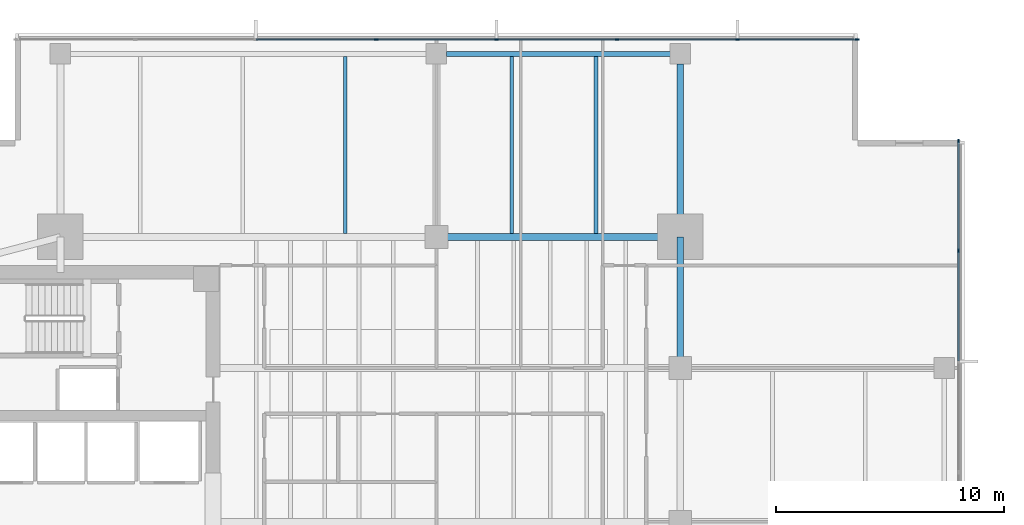
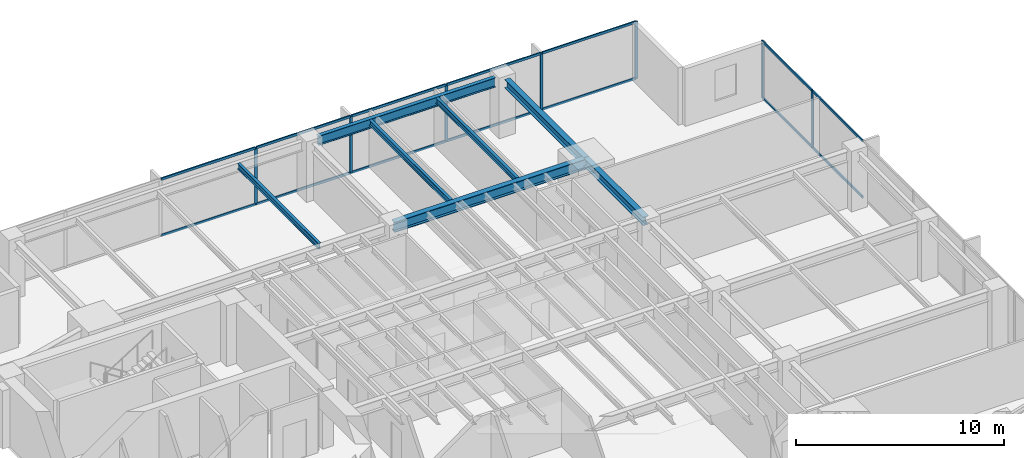
# One storey, part 6 of 14: 21 members, 7 beams, 2 elements without a shape of their own.
"""IFC4 building model written with IfcOpenShell, lengths in metres."""

from ifc_helpers import new_model, si_unit, direction, frame, origin, origin_2d, place, context, subcontext, project, spatial, rectangle, i_section, extrude, material, layer, layer_set, material_profile, profile_set, type_object, element, aggregate, save


model = new_model("IFC4")

# Units and contexts
model_context = context("Model", 3, precision=1e-05, world=origin(), true_north=direction((0.0, 1.0)))
body_context = subcontext(model_context, "Body", "Model", "MODEL_VIEW")
ifc_project = project(units=[si_unit("LENGTHUNIT", "METRE"), si_unit("AREAUNIT", "SQUARE_METRE"), si_unit("VOLUMEUNIT", "CUBIC_METRE"), si_unit("PLANEANGLEUNIT", "RADIAN"), si_unit("MASSUNIT", "GRAM", prefix="KILO")], contexts=[model_context])

# Site, building, storey
site_placement = place(None, origin())
site = spatial("IfcSite", under=ifc_project, at=site_placement, CompositionType="ELEMENT")
building_placement = place(site_placement, origin())
building = spatial("IfcBuilding", under=site, at=building_placement, Name="Kinhvarn Gate Tower", CompositionType="ELEMENT")
storey_placement = place(building_placement, frame((0.0, 0.0, 148.39990234375)))
storey = spatial("IfcBuildingStorey", under=building, at=storey_placement, Name="L39", CompositionType="ELEMENT", Elevation=148.39990234375)

# Curtain wall, members
ifc_material_1 = material(Name="Anodised aluminium AW-6063", Category="aluminium")
ifc_layer = layer(ifc_material_1, 0.179931640625)
ifc_layer_set = layer_set([ifc_layer], Name="Anodised aluminium AW-6063")
curtain_wall_type = type_object("IfcCurtainWallType", Name="CW-SYS-3", PredefinedType="NOTDEFINED", material=ifc_layer_set)
curtain_wall_1_placement = place(storey_placement, origin())
curtain_wall_1 = element("IfcCurtainWall", 1, at=curtain_wall_1_placement, inside=storey, type_object=curtain_wall_type, Name="Curtain Wall CW3 (L39)", PredefinedType="NOTDEFINED")
ifc_material_profile_1 = material_profile(ifc_material_1, rectangle(XDim=0.06494140625, YDim=0.159912109375, at=origin_2d()), Name="ALU 65x160")
ifc_profile_set_1 = profile_set([ifc_material_profile_1], Name="Anodised aluminium AW-6063")
member_type_1 = type_object("IfcMemberType", Name="CW-MUL-160", PredefinedType="MULLION", material=ifc_profile_set_1)
member_1_placement = place(storey_placement, frame((45.967529296875, 46.409912109375, 0.0), z_axis=(0.0, 0.0, 1.0), x_axis=(0.0, -1.0, 0.0)))
member_1 = element("IfcMember", 2, at=member_1_placement, type_object=member_type_1, Name="CW3 mullion 1", PredefinedType="MULLION", context=body_context, shape_type="SweptSolid", body=[
    extrude(rectangle(XDim=0.06494140625, YDim=0.159912109375, at=origin_2d()), origin(), (0.0, 0.0, 1.0), 3.3701171875),
])
member_2_placement = place(storey_placement, frame((40.71435546875, 46.409912109375, 0.0), z_axis=(0.0, 0.0, 1.0), x_axis=(0.0, -1.0, 0.0)))
member_2 = element("IfcMember", 3, at=member_2_placement, type_object=member_type_1, Name="CW3 mullion 2", PredefinedType="MULLION", context=body_context, shape_type="SweptSolid", body=[
    extrude(rectangle(XDim=0.06494140625, YDim=0.159912109375, at=origin_2d()), origin(), (0.0, 0.0, 1.0), 3.3701171875),
])
member_3_placement = place(storey_placement, frame((35.428466796875, 46.409912109375, 0.0), z_axis=(0.0, 0.0, 1.0), x_axis=(0.0, -1.0, 0.0)))
member_3 = element("IfcMember", 4, at=member_3_placement, type_object=member_type_1, Name="CW3 mullion 3", PredefinedType="MULLION", context=body_context, shape_type="SweptSolid", body=[
    extrude(rectangle(XDim=0.06494140625, YDim=0.159912109375, at=origin_2d()), origin(), (0.0, 0.0, 1.0), 3.3701171875),
])
member_4_placement = place(storey_placement, frame((30.142822265625, 46.409912109375, 0.0), z_axis=(0.0, 0.0, 1.0), x_axis=(0.0, -1.0, 0.0)))
member_4 = element("IfcMember", 5, at=member_4_placement, type_object=member_type_1, Name="CW3 mullion 4", PredefinedType="MULLION", context=body_context, shape_type="SweptSolid", body=[
    extrude(rectangle(XDim=0.06494140625, YDim=0.159912109375, at=origin_2d()), origin(), (0.0, 0.0, 1.0), 3.3701171875),
])
member_5_placement = place(storey_placement, frame((24.857177734375, 46.409912109375, 0.0), z_axis=(0.0, 0.0, 1.0), x_axis=(0.0, -1.0, 0.0)))
member_5 = element("IfcMember", 6, at=member_5_placement, type_object=member_type_1, Name="CW3 mullion 5", PredefinedType="MULLION", context=body_context, shape_type="SweptSolid", body=[
    extrude(rectangle(XDim=0.06494140625, YDim=0.159912109375, at=origin_2d()), origin(), (0.0, 0.0, 1.0), 3.3701171875),
])

curtain_wall_2_placement = place(storey_placement, origin())
curtain_wall_2 = element("IfcCurtainWall", 7, at=curtain_wall_2_placement, inside=storey, type_object=curtain_wall_type, Name="Curtain Wall CW3 (L39)", PredefinedType="NOTDEFINED")
member_6_placement = place(storey_placement, frame((50.409912109375, 37.142822265625, 0.0), z_axis=(0.0, 0.0, 1.0), x_axis=(-1.0, 0.0, 0.0)))
member_6 = element("IfcMember", 8, at=member_6_placement, type_object=member_type_1, Name="CW3 mullion 7", PredefinedType="MULLION", context=body_context, shape_type="SweptSolid", body=[
    extrude(rectangle(XDim=0.06494140625, YDim=0.159912109375, at=origin_2d()), origin(), (0.0, 0.0, 1.0), 3.3701171875),
])
member_7_placement = place(storey_placement, frame((50.409912109375, 41.967529296875, 0.0), z_axis=(0.0, 0.0, 1.0), x_axis=(-1.0, 0.0, 0.0)))
member_7 = element("IfcMember", 9, at=member_7_placement, type_object=member_type_1, Name="CW3 mullion 8", PredefinedType="MULLION", context=body_context, shape_type="SweptSolid", body=[
    extrude(rectangle(XDim=0.06494140625, YDim=0.159912109375, at=origin_2d()), origin(), (0.0, 0.0, 1.0), 3.3701171875),
])

# Member
ifc_material_profile_2 = material_profile(ifc_material_1, rectangle(XDim=0.070068359375, YDim=0.139892578125, at=origin_2d()), Name="ALU 70x140")
ifc_profile_set_2 = profile_set([ifc_material_profile_2], Name="Anodised aluminium AW-6063")
member_type_2 = type_object("IfcMemberType", Name="CW-TRN-140", PredefinedType="USERDEFINED", material=ifc_profile_set_2)
member_8_placement = place(storey_placement, frame((45.93505859375, 46.409912109375, 0.03515625), z_axis=(-1.0, 0.0, 0.0), x_axis=(0.0, -1.0, 0.0)))
member_8 = element("IfcMember", 10, at=member_8_placement, type_object=member_type_2, Name="CW3 transom 1.1", ObjectType="TRANSOM", PredefinedType="USERDEFINED", context=body_context, shape_type="SweptSolid", body=[
    extrude(rectangle(XDim=0.070068359375, YDim=0.139892578125, at=origin_2d()), origin(), (0.0, 0.0, 1.0), 5.188232421875),
])

member_9_placement = place(storey_placement, frame((45.93505859375, 46.409912109375, 3.335205078125), z_axis=(-1.0, 0.0, 0.0), x_axis=(0.0, -1.0, 0.0)))
member_9 = element("IfcMember", 11, at=member_9_placement, type_object=member_type_2, Name="CW3 transom 1.2", ObjectType="TRANSOM", PredefinedType="USERDEFINED", context=body_context, shape_type="SweptSolid", body=[
    extrude(rectangle(XDim=0.070068359375, YDim=0.139892578125, at=origin_2d()), origin(), (0.0, 0.0, 1.0), 5.188232421875),
])

member_10_placement = place(storey_placement, frame((40.681884765625, 46.409912109375, 0.03515625), z_axis=(-1.0, 0.0, 0.0), x_axis=(0.0, -1.0, 0.0)))
member_10 = element("IfcMember", 12, at=member_10_placement, type_object=member_type_2, Name="CW3 transom 2.1", ObjectType="TRANSOM", PredefinedType="USERDEFINED", context=body_context, shape_type="SweptSolid", body=[
    extrude(rectangle(XDim=0.070068359375, YDim=0.139892578125, at=origin_2d()), origin(), (0.0, 0.0, 1.0), 5.220703125),
])

member_11_placement = place(storey_placement, frame((40.681884765625, 46.409912109375, 3.335205078125), z_axis=(-1.0, 0.0, 0.0), x_axis=(0.0, -1.0, 0.0)))
member_11 = element("IfcMember", 13, at=member_11_placement, type_object=member_type_2, Name="CW3 transom 2.2", ObjectType="TRANSOM", PredefinedType="USERDEFINED", context=body_context, shape_type="SweptSolid", body=[
    extrude(rectangle(XDim=0.070068359375, YDim=0.139892578125, at=origin_2d()), origin(), (0.0, 0.0, 1.0), 5.220703125),
])

member_12_placement = place(storey_placement, frame((35.39599609375, 46.409912109375, 0.03515625), z_axis=(-1.0, 0.0, 0.0), x_axis=(0.0, -1.0, 0.0)))
member_12 = element("IfcMember", 14, at=member_12_placement, type_object=member_type_2, Name="CW3 transom 3.1", ObjectType="TRANSOM", PredefinedType="USERDEFINED", context=body_context, shape_type="SweptSolid", body=[
    extrude(rectangle(XDim=0.070068359375, YDim=0.139892578125, at=origin_2d()), origin(), (0.0, 0.0, 1.0), 5.220703125),
])

member_13_placement = place(storey_placement, frame((35.39599609375, 46.409912109375, 3.335205078125), z_axis=(-1.0, 0.0, 0.0), x_axis=(0.0, -1.0, 0.0)))
member_13 = element("IfcMember", 15, at=member_13_placement, type_object=member_type_2, Name="CW3 transom 3.2", ObjectType="TRANSOM", PredefinedType="USERDEFINED", context=body_context, shape_type="SweptSolid", body=[
    extrude(rectangle(XDim=0.070068359375, YDim=0.139892578125, at=origin_2d()), origin(), (0.0, 0.0, 1.0), 5.220703125),
])

member_14_placement = place(storey_placement, frame((30.1103515625, 46.409912109375, 0.03515625), z_axis=(-1.0, 0.0, 0.0), x_axis=(0.0, -1.0, 0.0)))
member_14 = element("IfcMember", 16, at=member_14_placement, type_object=member_type_2, Name="CW3 transom 4.1", ObjectType="TRANSOM", PredefinedType="USERDEFINED", context=body_context, shape_type="SweptSolid", body=[
    extrude(rectangle(XDim=0.070068359375, YDim=0.139892578125, at=origin_2d()), origin(), (0.0, 0.0, 1.0), 5.220703125),
])

member_15_placement = place(storey_placement, frame((30.1103515625, 46.409912109375, 3.335205078125), z_axis=(-1.0, 0.0, 0.0), x_axis=(0.0, -1.0, 0.0)))
member_15 = element("IfcMember", 17, at=member_15_placement, type_object=member_type_2, Name="CW3 transom 4.2", ObjectType="TRANSOM", PredefinedType="USERDEFINED", context=body_context, shape_type="SweptSolid", body=[
    extrude(rectangle(XDim=0.070068359375, YDim=0.139892578125, at=origin_2d()), origin(), (0.0, 0.0, 1.0), 5.220703125),
])

member_16_placement = place(storey_placement, frame((24.82470703125, 46.409912109375, 0.03515625), z_axis=(-1.0, 0.0, 0.0), x_axis=(0.0, -1.0, 0.0)))
member_16 = element("IfcMember", 18, at=member_16_placement, type_object=member_type_2, Name="CW3 transom 5.1", ObjectType="TRANSOM", PredefinedType="USERDEFINED", context=body_context, shape_type="SweptSolid", body=[
    extrude(rectangle(XDim=0.070068359375, YDim=0.139892578125, at=origin_2d()), origin(), (0.0, 0.0, 1.0), 5.220703125),
])

member_17_placement = place(storey_placement, frame((24.82470703125, 46.409912109375, 3.335205078125), z_axis=(-1.0, 0.0, 0.0), x_axis=(0.0, -1.0, 0.0)))
member_17 = element("IfcMember", 19, at=member_17_placement, type_object=member_type_2, Name="CW3 transom 5.2", ObjectType="TRANSOM", PredefinedType="USERDEFINED", context=body_context, shape_type="SweptSolid", body=[
    extrude(rectangle(XDim=0.070068359375, YDim=0.139892578125, at=origin_2d()), origin(), (0.0, 0.0, 1.0), 5.220703125),
])

aggregate(curtain_wall_1, [member_1, member_2, member_3, member_4, member_5, member_8, member_9, member_10, member_11, member_12, member_13, member_14, member_15, member_16, member_17])

member_18_placement = place(storey_placement, frame((50.409912109375, 32.318115234375, 0.03515625), z_axis=(0.0, 1.0, 0.0), x_axis=(-1.0, 0.0, 0.0)))
member_18 = element("IfcMember", 20, at=member_18_placement, type_object=member_type_2, Name="CW3 transom 6.1", ObjectType="TRANSOM", PredefinedType="USERDEFINED", context=body_context, shape_type="SweptSolid", body=[
    extrude(rectangle(XDim=0.070068359375, YDim=0.139892578125, at=origin_2d()), origin(), (0.0, 0.0, 1.0), 4.792236328125),
])

member_19_placement = place(storey_placement, frame((50.409912109375, 32.318115234375, 3.335205078125), z_axis=(0.0, 1.0, 0.0), x_axis=(-1.0, 0.0, 0.0)))
member_19 = element("IfcMember", 21, at=member_19_placement, type_object=member_type_2, Name="CW3 transom 6.2", ObjectType="TRANSOM", PredefinedType="USERDEFINED", context=body_context, shape_type="SweptSolid", body=[
    extrude(rectangle(XDim=0.070068359375, YDim=0.139892578125, at=origin_2d()), origin(), (0.0, 0.0, 1.0), 4.792236328125),
])

member_20_placement = place(storey_placement, frame((50.409912109375, 37.17529296875, 0.03515625), z_axis=(0.0, 1.0, 0.0), x_axis=(-1.0, 0.0, 0.0)))
member_20 = element("IfcMember", 22, at=member_20_placement, type_object=member_type_2, Name="CW3 transom 7.1", ObjectType="TRANSOM", PredefinedType="USERDEFINED", context=body_context, shape_type="SweptSolid", body=[
    extrude(rectangle(XDim=0.070068359375, YDim=0.139892578125, at=origin_2d()), origin(), (0.0, 0.0, 1.0), 4.759765625),
])

member_21_placement = place(storey_placement, frame((50.409912109375, 37.17529296875, 3.335205078125), z_axis=(0.0, 1.0, 0.0), x_axis=(-1.0, 0.0, 0.0)))
member_21 = element("IfcMember", 23, at=member_21_placement, type_object=member_type_2, Name="CW3 transom 7.2", ObjectType="TRANSOM", PredefinedType="USERDEFINED", context=body_context, shape_type="SweptSolid", body=[
    extrude(rectangle(XDim=0.070068359375, YDim=0.139892578125, at=origin_2d()), origin(), (0.0, 0.0, 1.0), 4.759765625),
])

aggregate(curtain_wall_2, [member_6, member_7, member_18, member_19, member_20, member_21])

# Beams
ifc_material_2 = material(Name="Steel S355", Category="steel")
ifc_material_profile_3 = material_profile(ifc_material_2, i_section(OverallWidth=0.300048828125, OverallDepth=0.5, WebThickness=0.014404296875, FlangeThickness=0.028076171875, at=origin_2d()), Name="HEB 500")
ifc_profile_set_3 = profile_set([ifc_material_profile_3], Name="Steel S355")
beam_type_1 = type_object("IfcBeamType", Name="STL-HEB500", PredefinedType="BEAM", material=ifc_profile_set_3)
beam_1_placement = place(storey_placement, frame((38.199951171875, 37.75, 3.1201171875), z_axis=(0.0, 1.0, 0.0), x_axis=(-1.0, 0.0, 0.0)))
element("IfcBeam", 24, at=beam_1_placement, inside=storey, type_object=beam_type_1, Name="Floor Beam PG-14 (L39 MCE-N)", PredefinedType="BEAM", context=body_context, shape_type="SweptSolid", body=[
    extrude(i_section(OverallWidth=0.300048828125, OverallDepth=0.5, WebThickness=0.014404296875, FlangeThickness=0.028076171875, at=origin_2d()), origin(), (0.0, 0.0, 1.0), 7.594970703125),
])
beam_2_placement = place(storey_placement, frame((38.199951171875, 32.0, 3.1201171875), z_axis=(0.0, 1.0, 0.0), x_axis=(-1.0, 0.0, 0.0)))
element("IfcBeam", 25, at=beam_2_placement, inside=storey, type_object=beam_type_1, Name="Floor Beam PG-14 (L39 MG-E-32)", PredefinedType="BEAM", context=body_context, shape_type="SweptSolid", body=[
    extrude(i_section(OverallWidth=0.300048828125, OverallDepth=0.5, WebThickness=0.014404296875, FlangeThickness=0.028076171875, at=origin_2d()), origin(), (0.0, 0.0, 1.0), 5.75),
])
ifc_material_profile_4 = material_profile(ifc_material_2, i_section(OverallWidth=0.300048828125, OverallDepth=0.60009765625, WebThickness=0.015380859375, FlangeThickness=0.030029296875, at=origin_2d()), Name="HEB 600")
ifc_profile_set_4 = profile_set([ifc_material_profile_4], Name="Steel S355")
beam_type_2 = type_object("IfcBeamType", Name="STL-HEB600", PredefinedType="BEAM", material=ifc_profile_set_4)
beam_3_placement = place(storey_placement, frame((27.5, 37.75, 3.070068359375), z_axis=(1.0, 0.0, 0.0), x_axis=(0.0, 1.0, 0.0)))
element("IfcBeam", 26, at=beam_3_placement, inside=storey, type_object=beam_type_2, Name="Floor Beam PG-16 (L39 MG-N2)", PredefinedType="BEAM", context=body_context, shape_type="SweptSolid", body=[
    extrude(i_section(OverallWidth=0.300048828125, OverallDepth=0.60009765625, WebThickness=0.015380859375, FlangeThickness=0.030029296875, at=origin_2d()), origin(), (0.0, 0.0, 1.0), 10.699951171875),
])
ifc_material_profile_5 = material_profile(ifc_material_2, i_section(OverallWidth=0.159912109375, OverallDepth=0.330078125, WebThickness=0.007568359375, FlangeThickness=0.011474609375, at=origin_2d()), Name="IPE 330")
ifc_profile_set_5 = profile_set([ifc_material_profile_5], Name="Steel S355")
beam_type_3 = type_object("IfcBeamType", Name="STL-IPE330", PredefinedType="JOIST", material=ifc_profile_set_5)
for number, where, z_axis, x_axis, name in (
    (27, (23.5, 37.89990234375, 3.205078125), (0.0, 1.0, 0.0), (-1.0, 0.0, 0.0), "Floor Joist SB-03 (L39 JN-X235)"),
    (28, (30.800048828125, 37.89990234375, 3.205078125), (0.0, 1.0, 0.0), (-1.0, 0.0, 0.0), "Floor Joist SB-03 (L39 JN-X308)"),
    (29, (34.5, 37.89990234375, 3.205078125), (0.0, 1.0, 0.0), (-1.0, 0.0, 0.0), "Floor Joist SB-03 (L39 JN-X345)"),
):
    element("IfcBeam", number, at=place(storey_placement, frame(where, z_axis=z_axis, x_axis=x_axis)), inside=storey, type_object=beam_type_3, Name=name, PredefinedType="JOIST", context=body_context, shape_type="SweptSolid", body=[
        extrude(i_section(OverallWidth=0.159912109375, OverallDepth=0.330078125, WebThickness=0.007568359375, FlangeThickness=0.011474609375, at=origin_2d()), origin(), (0.0, 0.0, 1.0), 7.775146484375),
    ])
ifc_material_profile_6 = material_profile(ifc_material_2, i_section(OverallWidth=0.2099609375, OverallDepth=0.550048828125, WebThickness=0.010986328125, FlangeThickness=0.01708984375, at=origin_2d()), Name="IPE 550")
ifc_profile_set_6 = profile_set([ifc_material_profile_6], Name="Steel S355")
beam_type_4 = type_object("IfcBeamType", Name="STL-IPE550", PredefinedType="SPANDREL", material=ifc_profile_set_6)
beam_4_placement = place(storey_placement, frame((27.93505859375, 45.780029296875, 3.09521484375), z_axis=(1.0, 0.0, 0.0), x_axis=(0.0, 1.0, 0.0)))
element("IfcBeam", 30, at=beam_4_placement, inside=storey, type_object=beam_type_4, Name="Floor Spandrel SB-08 (L39 SP-N2)", PredefinedType="SPANDREL", context=body_context, shape_type="SweptSolid", body=[
    extrude(i_section(OverallWidth=0.2099609375, OverallDepth=0.550048828125, WebThickness=0.010986328125, FlangeThickness=0.01708984375, at=origin_2d()), origin(), (0.0, 0.0, 1.0), 9.829833984375),
])

save(model, "model.ifc")
